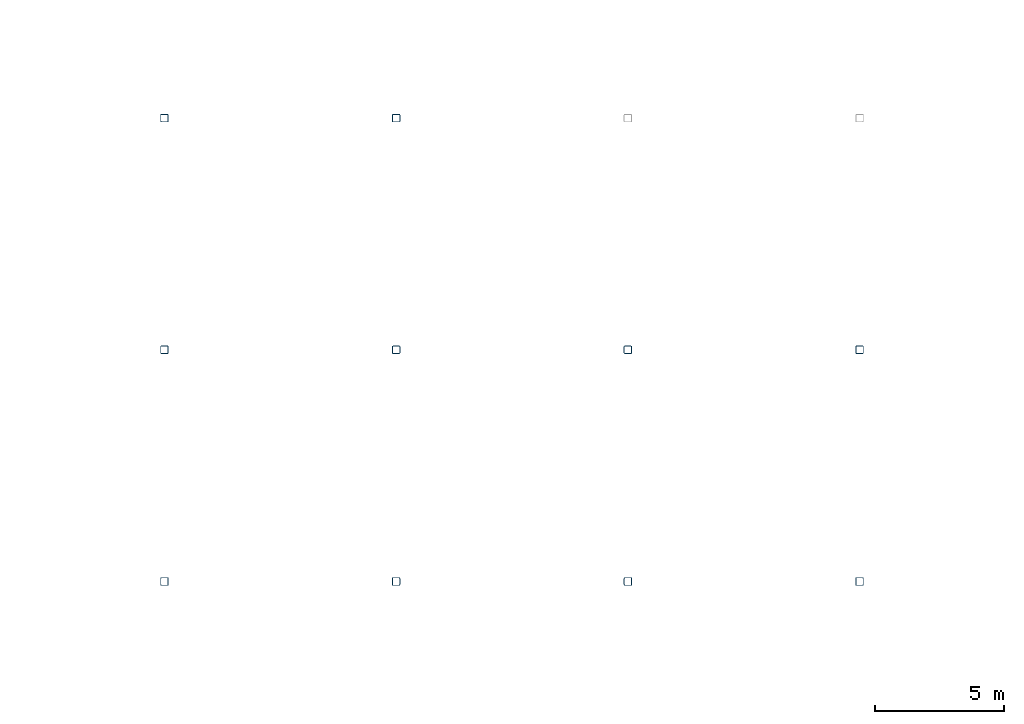
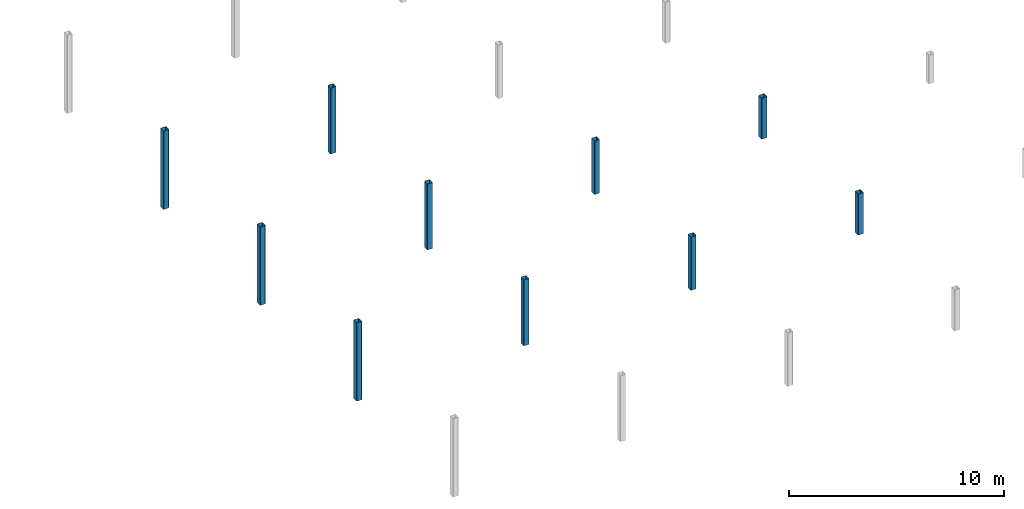
# One storey, part 4 of 15: 10 columns.
"""IFC4 building model written with IfcOpenShell, lengths in metres."""

from ifc_helpers import new_model, si_unit, direction, frame, origin, origin_2d, place, context, subcontext, project, spatial, hollow_rectangle, extrude, material, material_profile, profile_set, type_object, element, save


model = new_model("IFC4")

# Units and contexts
model_context = context("Model", 3, precision=1e-05, world=origin(), true_north=direction((0.0, 1.0)))
body_context = subcontext(model_context, "Body", "Model", "MODEL_VIEW")
ifc_project = project(units=[si_unit("LENGTHUNIT", "METRE"), si_unit("AREAUNIT", "SQUARE_METRE"), si_unit("VOLUMEUNIT", "CUBIC_METRE"), si_unit("PLANEANGLEUNIT", "RADIAN"), si_unit("MASSUNIT", "GRAM", prefix="KILO")], contexts=[model_context])

# Site, building, storey
site_placement = place(None, origin())
site = spatial("IfcSite", under=ifc_project, at=site_placement, CompositionType="ELEMENT")
building_placement = place(site_placement, origin())
building = spatial("IfcBuilding", under=site, at=building_placement, Name="Opaline Strait Convention Centre", CompositionType="ELEMENT")
storey_placement = place(building_placement, frame((0.0, 0.0, 20.10009765625)))
storey = spatial("IfcBuildingStorey", under=building, at=storey_placement, Name="Roof Restaurants and Business Centre", CompositionType="ELEMENT", Elevation=20.10009765625)

# Columns
ifc_material = material(Name="Steel Q355B", Category="steel")
ifc_material_profile = material_profile(ifc_material, hollow_rectangle(XDim=0.300048828125, YDim=0.300048828125, WallThickness=0.011962890625, InnerFilletRadius=0.02392578125, OuterFilletRadius=0.035888671875, at=origin_2d()), Name="RHS 300x300x12")
ifc_profile_set = profile_set([ifc_material_profile], Name="Steel Q355B")
column_type = type_object("IfcColumnType", Name="Roof post RHS 300x300x12", PredefinedType="COLUMN", material=ifc_profile_set)
for number, where, z_axis, x_axis, name in (
    (1, (279.0, 99.0, 0.0), (0.0, 0.0, 1.0), (1.0, 0.0, 0.0), "MRS1 roof post at 32/M above Roof Restaurants and Business Centre"),
    (2, (279.0, 108.0, 0.0), (0.0, 0.0, 1.0), (1.0, 0.0, 0.0), "MRS1 roof post at 32/N above Roof Restaurants and Business Centre"),
    (3, (279.0, 117.0, 0.0), (0.0, 0.0, 1.0), (1.0, 0.0, 0.0), "MRS1 roof post at 32/P above Roof Restaurants and Business Centre"),
):
    element("IfcColumn", number, at=place(storey_placement, frame(where, z_axis=z_axis, x_axis=x_axis)), inside=storey, type_object=column_type, Name=name, PredefinedType="COLUMN", context=body_context, shape_type="SweptSolid", body=[
        extrude(hollow_rectangle(XDim=0.300048828125, YDim=0.300048828125, WallThickness=0.011962890625, InnerFilletRadius=0.02392578125, OuterFilletRadius=0.035888671875, at=origin_2d()), origin(), (0.0, 0.0, 1.0), 4.453369140625),
    ])
for number, where, z_axis, x_axis, name in (
    (4, (288.0, 99.0, 0.0), (0.0, 0.0, 1.0), (1.0, 0.0, 0.0), "MRS1 roof post at 33/M above Roof Restaurants and Business Centre"),
    (5, (288.0, 108.0, 0.0), (0.0, 0.0, 1.0), (1.0, 0.0, 0.0), "MRS1 roof post at 33/N above Roof Restaurants and Business Centre"),
    (6, (288.0, 117.0, 0.0), (0.0, 0.0, 1.0), (1.0, 0.0, 0.0), "MRS1 roof post at 33/P above Roof Restaurants and Business Centre"),
):
    element("IfcColumn", number, at=place(storey_placement, frame(where, z_axis=z_axis, x_axis=x_axis)), inside=storey, type_object=column_type, Name=name, PredefinedType="COLUMN", context=body_context, shape_type="SweptSolid", body=[
        extrude(hollow_rectangle(XDim=0.300048828125, YDim=0.300048828125, WallThickness=0.011962890625, InnerFilletRadius=0.02392578125, OuterFilletRadius=0.035888671875, at=origin_2d()), origin(), (0.0, 0.0, 1.0), 3.7451171875),
    ])
for number, where, z_axis, x_axis, name in (
    (7, (297.0, 99.0, 0.0), (0.0, 0.0, 1.0), (1.0, 0.0, 0.0), "MRS1 roof post at 34/M above Roof Restaurants and Business Centre"),
    (8, (297.0, 108.0, 0.0), (0.0, 0.0, 1.0), (1.0, 0.0, 0.0), "MRS1 roof post at 34/N above Roof Restaurants and Business Centre"),
):
    element("IfcColumn", number, at=place(storey_placement, frame(where, z_axis=z_axis, x_axis=x_axis)), inside=storey, type_object=column_type, Name=name, PredefinedType="COLUMN", context=body_context, shape_type="SweptSolid", body=[
        extrude(hollow_rectangle(XDim=0.300048828125, YDim=0.300048828125, WallThickness=0.011962890625, InnerFilletRadius=0.02392578125, OuterFilletRadius=0.035888671875, at=origin_2d()), origin(), (0.0, 0.0, 1.0), 3.036865234375),
    ])
for number, where, z_axis, x_axis, name in (
    (9, (306.0, 99.0, 0.0), (0.0, 0.0, 1.0), (1.0, 0.0, 0.0), "MRS1 roof post at 35/M above Roof Restaurants and Business Centre"),
    (10, (306.0, 108.0, 0.0), (0.0, 0.0, 1.0), (1.0, 0.0, 0.0), "MRS1 roof post at 35/N above Roof Restaurants and Business Centre"),
):
    element("IfcColumn", number, at=place(storey_placement, frame(where, z_axis=z_axis, x_axis=x_axis)), inside=storey, type_object=column_type, Name=name, PredefinedType="COLUMN", context=body_context, shape_type="SweptSolid", body=[
        extrude(hollow_rectangle(XDim=0.300048828125, YDim=0.300048828125, WallThickness=0.011962890625, InnerFilletRadius=0.02392578125, OuterFilletRadius=0.035888671875, at=origin_2d()), origin(), (0.0, 0.0, 1.0), 2.32861328125),
    ])

save(model, "model.ifc")
